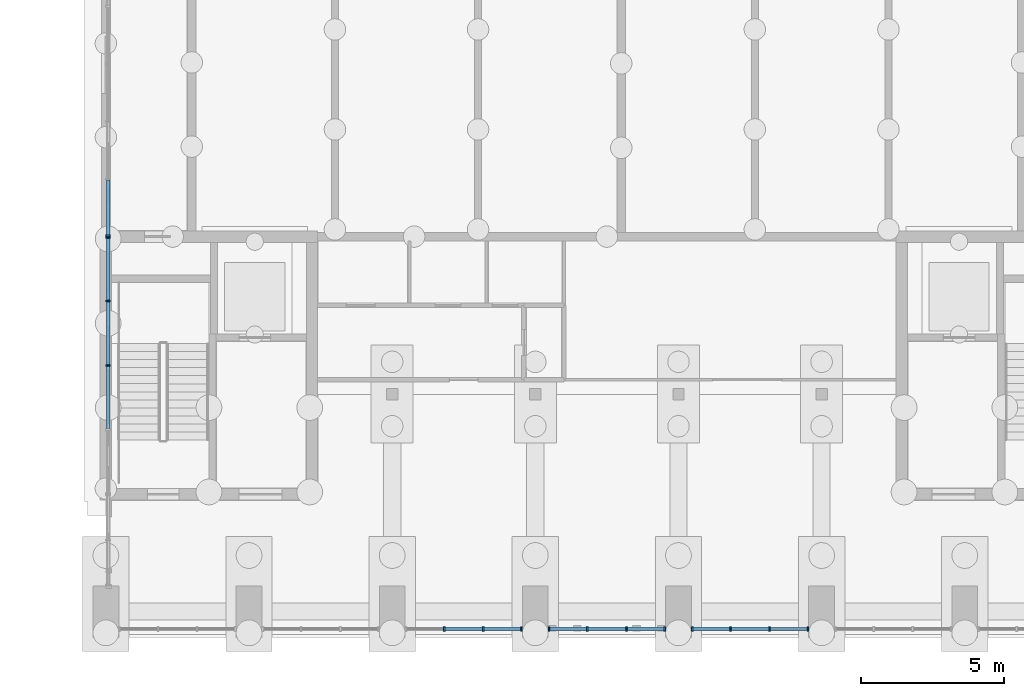
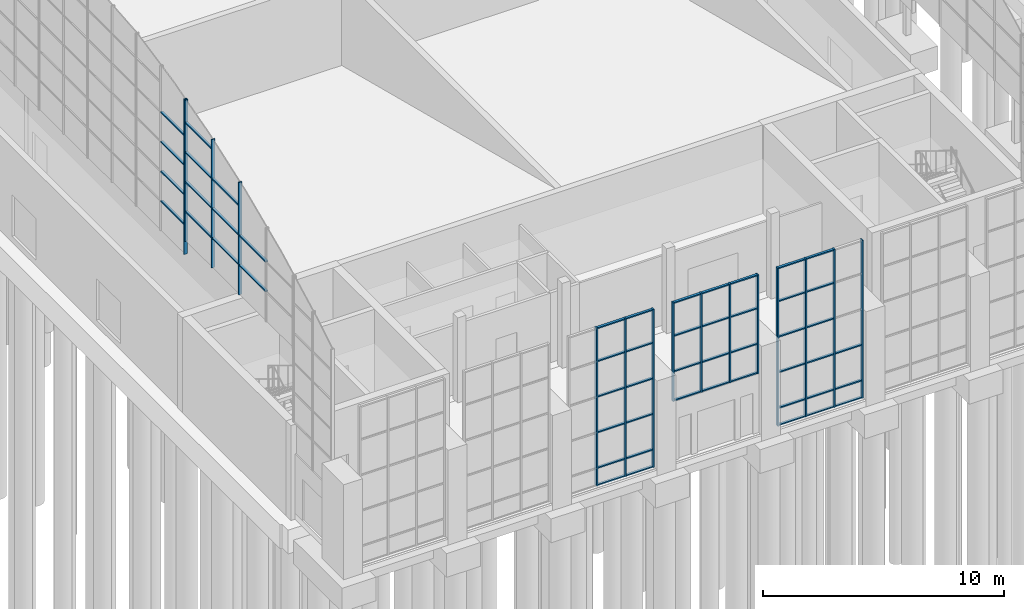
# One storey, part 25 of 106: 67 members, 5 elements without a shape of their own.
"""IFC4 building model written with IfcOpenShell, lengths in metres."""

from ifc_helpers import new_model, si_unit, direction, frame, origin, origin_2d, place, context, subcontext, project, spatial, rectangle, extrude, material, material_profile, profile_set, type_object, element, aggregate, save


model = new_model("IFC4")

# Units and contexts
model_context = context("Model", 3, precision=1e-05, world=origin(), true_north=direction((0.0, 1.0)))
body_context = subcontext(model_context, "Body", "Model", "MODEL_VIEW")
ifc_project = project(units=[si_unit("LENGTHUNIT", "METRE"), si_unit("AREAUNIT", "SQUARE_METRE"), si_unit("VOLUMEUNIT", "CUBIC_METRE"), si_unit("PLANEANGLEUNIT", "RADIAN"), si_unit("MASSUNIT", "GRAM", prefix="KILO")], contexts=[model_context])

# Site, building, storey
site_placement = place(None, origin())
site = spatial("IfcSite", under=ifc_project, at=site_placement, CompositionType="ELEMENT")
building_placement = place(site_placement, origin())
building = spatial("IfcBuilding", under=site, at=building_placement, Name="Merrow Basin Faculty of Sciences", CompositionType="ELEMENT")
storey_placement = place(building_placement, origin())
storey = spatial("IfcBuildingStorey", under=building, at=storey_placement, Name="L00", CompositionType="ELEMENT", Elevation=0.0)

# Curtain wall, members
ifc_material_1 = material(Name="Aluminium alloy 6063", Category="aluminium")
curtain_wall_type_1 = type_object("IfcCurtainWallType", Name="Arched curtain wall 160", PredefinedType="NOTDEFINED", material=ifc_material_1)
curtain_wall_1_placement = place(storey_placement, origin())
curtain_wall_1 = element("IfcCurtainWall", 1, at=curtain_wall_1_placement, inside=storey, type_object=curtain_wall_type_1, Name="West gable glazing B", PredefinedType="NOTDEFINED")
ifc_material_2 = material(Name="Aluminium alloy 6063", Category="aluminium")
ifc_material_profile_1 = material_profile(ifc_material_2, rectangle(XDim=0.159912109375, YDim=0.06005859375, at=origin_2d()))
ifc_profile_set_1 = profile_set([ifc_material_profile_1], Name="Aluminium alloy 6063")
member_type_1 = type_object("IfcMemberType", Name="Aluminium gable mullion 60x160", PredefinedType="MULLION", material=ifc_profile_set_1)
member_1_placement = place(storey_placement, frame((0.080078125, 9.5, 8.199951171875), z_axis=(0.0, 0.0, 1.0), x_axis=(1.0, 0.0, 0.0)))
member_1 = element("IfcMember", 2, at=member_1_placement, type_object=member_type_1, Name="CW4 mullion 3", PredefinedType="MULLION", context=body_context, shape_type="SweptSolid", body=[
    extrude(rectangle(XDim=0.159912109375, YDim=0.06005859375, at=origin_2d()), origin(), (0.0, 0.0, 1.0), 5.68798828125),
])
member_2_placement = place(storey_placement, frame((0.080078125, 11.75, 8.199951171875), z_axis=(0.0, 0.0, 1.0), x_axis=(1.0, 0.0, 0.0)))
member_2 = element("IfcMember", 3, at=member_2_placement, type_object=member_type_1, Name="CW4 mullion 4", PredefinedType="MULLION", context=body_context, shape_type="SweptSolid", body=[
    extrude(rectangle(XDim=0.159912109375, YDim=0.06005859375, at=origin_2d()), origin(), (0.0, 0.0, 1.0), 6.486083984375),
])
member_3_placement = place(storey_placement, frame((0.080078125, 13.969970703125, 8.199951171875), z_axis=(0.0, 0.0, 1.0), x_axis=(1.0, 0.0, 0.0)))
member_3 = element("IfcMember", 4, at=member_3_placement, type_object=member_type_1, Name="CW4 mullion 5", PredefinedType="MULLION", context=body_context, shape_type="SweptSolid", body=[
    extrude(rectangle(XDim=0.159912109375, YDim=0.06005859375, at=origin_2d()), origin(), (0.0, 0.0, 1.0), 7.129150390625),
])

# Curtain wall, member
curtain_wall_2_placement = place(storey_placement, origin())
curtain_wall_2 = element("IfcCurtainWall", 5, at=curtain_wall_2_placement, inside=storey, type_object=curtain_wall_type_1, Name="West gable glazing C", PredefinedType="NOTDEFINED")
member_4_placement = place(storey_placement, frame((0.080078125, 14.030029296875, 7.5), z_axis=(0.0, 0.0, 1.0), x_axis=(1.0, 0.0, 0.0)))
member_4 = element("IfcMember", 6, at=member_4_placement, type_object=member_type_1, Name="CW4 mullion 1", PredefinedType="MULLION", context=body_context, shape_type="SweptSolid", body=[
    extrude(rectangle(XDim=0.159912109375, YDim=0.06005859375, at=origin_2d()), origin(), (0.0, 0.0, 1.0), 7.845947265625),
])

# Member
ifc_material_3 = material(Name="Aluminium alloy 6063", Category="aluminium")
ifc_material_profile_2 = material_profile(ifc_material_3, rectangle(XDim=0.1201171875, YDim=0.06005859375, at=origin_2d()))
ifc_profile_set_2 = profile_set([ifc_material_profile_2], Name="Aluminium alloy 6063")
member_type_2 = type_object("IfcMemberType", Name="Aluminium gable transom 60x120", PredefinedType="USERDEFINED", material=ifc_profile_set_2)
member_5_placement = place(storey_placement, frame((0.080078125, 7.280029296875, 9.699951171875), z_axis=(0.0, 1.0, 0.0), x_axis=(-1.0, 0.0, 0.0)))
member_5 = element("IfcMember", 7, at=member_5_placement, type_object=member_type_2, Name="CW4 transom 2.1", ObjectType="TRANSOM", PredefinedType="USERDEFINED", context=body_context, shape_type="SweptSolid", body=[
    extrude(rectangle(XDim=0.1201171875, YDim=0.06005859375, at=origin_2d()), origin(), (0.0, 0.0, 1.0), 2.18994140625),
])

member_6_placement = place(storey_placement, frame((0.080078125, 7.280029296875, 11.199951171875), z_axis=(0.0, 1.0, 0.0), x_axis=(-1.0, 0.0, 0.0)))
member_6 = element("IfcMember", 8, at=member_6_placement, type_object=member_type_2, Name="CW4 transom 2.2", ObjectType="TRANSOM", PredefinedType="USERDEFINED", context=body_context, shape_type="SweptSolid", body=[
    extrude(rectangle(XDim=0.1201171875, YDim=0.06005859375, at=origin_2d()), origin(), (0.0, 0.0, 1.0), 2.18994140625),
])

member_7_placement = place(storey_placement, frame((0.080078125, 9.530029296875, 9.699951171875), z_axis=(0.0, 1.0, 0.0), x_axis=(-1.0, 0.0, 0.0)))
member_7 = element("IfcMember", 9, at=member_7_placement, type_object=member_type_2, Name="CW4 transom 3.1", ObjectType="TRANSOM", PredefinedType="USERDEFINED", context=body_context, shape_type="SweptSolid", body=[
    extrude(rectangle(XDim=0.1201171875, YDim=0.06005859375, at=origin_2d()), origin(), (0.0, 0.0, 1.0), 2.18994140625),
])

member_8_placement = place(storey_placement, frame((0.080078125, 9.530029296875, 11.199951171875), z_axis=(0.0, 1.0, 0.0), x_axis=(-1.0, 0.0, 0.0)))
member_8 = element("IfcMember", 10, at=member_8_placement, type_object=member_type_2, Name="CW4 transom 3.2", ObjectType="TRANSOM", PredefinedType="USERDEFINED", context=body_context, shape_type="SweptSolid", body=[
    extrude(rectangle(XDim=0.1201171875, YDim=0.06005859375, at=origin_2d()), origin(), (0.0, 0.0, 1.0), 2.18994140625),
])

member_9_placement = place(storey_placement, frame((0.080078125, 9.530029296875, 12.699951171875), z_axis=(0.0, 1.0, 0.0), x_axis=(-1.0, 0.0, 0.0)))
member_9 = element("IfcMember", 11, at=member_9_placement, type_object=member_type_2, Name="CW4 transom 3.3", ObjectType="TRANSOM", PredefinedType="USERDEFINED", context=body_context, shape_type="SweptSolid", body=[
    extrude(rectangle(XDim=0.1201171875, YDim=0.06005859375, at=origin_2d()), origin(), (0.0, 0.0, 1.0), 2.18994140625),
])

member_10_placement = place(storey_placement, frame((0.080078125, 11.780029296875, 9.699951171875), z_axis=(0.0, 1.0, 0.0), x_axis=(-1.0, 0.0, 0.0)))
member_10 = element("IfcMember", 12, at=member_10_placement, type_object=member_type_2, Name="CW4 transom 4.1", ObjectType="TRANSOM", PredefinedType="USERDEFINED", context=body_context, shape_type="SweptSolid", body=[
    extrude(rectangle(XDim=0.1201171875, YDim=0.06005859375, at=origin_2d()), origin(), (0.0, 0.0, 1.0), 2.159912109375),
])

member_11_placement = place(storey_placement, frame((0.080078125, 11.780029296875, 11.199951171875), z_axis=(0.0, 1.0, 0.0), x_axis=(-1.0, 0.0, 0.0)))
member_11 = element("IfcMember", 13, at=member_11_placement, type_object=member_type_2, Name="CW4 transom 4.2", ObjectType="TRANSOM", PredefinedType="USERDEFINED", context=body_context, shape_type="SweptSolid", body=[
    extrude(rectangle(XDim=0.1201171875, YDim=0.06005859375, at=origin_2d()), origin(), (0.0, 0.0, 1.0), 2.159912109375),
])

member_12_placement = place(storey_placement, frame((0.080078125, 11.780029296875, 12.699951171875), z_axis=(0.0, 1.0, 0.0), x_axis=(-1.0, 0.0, 0.0)))
member_12 = element("IfcMember", 14, at=member_12_placement, type_object=member_type_2, Name="CW4 transom 4.3", ObjectType="TRANSOM", PredefinedType="USERDEFINED", context=body_context, shape_type="SweptSolid", body=[
    extrude(rectangle(XDim=0.1201171875, YDim=0.06005859375, at=origin_2d()), origin(), (0.0, 0.0, 1.0), 2.159912109375),
])

member_13_placement = place(storey_placement, frame((0.080078125, 11.780029296875, 14.199951171875), z_axis=(0.0, 1.0, 0.0), x_axis=(-1.0, 0.0, 0.0)))
member_13 = element("IfcMember", 15, at=member_13_placement, type_object=member_type_2, Name="CW4 transom 4.4", ObjectType="TRANSOM", PredefinedType="USERDEFINED", context=body_context, shape_type="SweptSolid", body=[
    extrude(rectangle(XDim=0.1201171875, YDim=0.06005859375, at=origin_2d()), origin(), (0.0, 0.0, 1.0), 2.159912109375),
])

aggregate(curtain_wall_1, [member_1, member_2, member_3, member_5, member_6, member_7, member_8, member_9, member_10, member_11, member_12, member_13])

member_14_placement = place(storey_placement, frame((0.080078125, 14.06005859375, 9.0), z_axis=(0.0, 1.0, 0.0), x_axis=(-1.0, 0.0, 0.0)))
member_14 = element("IfcMember", 16, at=member_14_placement, type_object=member_type_2, Name="CW4 transom 1.1", ObjectType="TRANSOM", PredefinedType="USERDEFINED", context=body_context, shape_type="SweptSolid", body=[
    extrude(rectangle(XDim=0.1201171875, YDim=0.06005859375, at=origin_2d()), origin(), (0.0, 0.0, 1.0), 1.9208984375),
])

member_15_placement = place(storey_placement, frame((0.080078125, 14.06005859375, 10.5), z_axis=(0.0, 1.0, 0.0), x_axis=(-1.0, 0.0, 0.0)))
member_15 = element("IfcMember", 17, at=member_15_placement, type_object=member_type_2, Name="CW4 transom 1.2", ObjectType="TRANSOM", PredefinedType="USERDEFINED", context=body_context, shape_type="SweptSolid", body=[
    extrude(rectangle(XDim=0.1201171875, YDim=0.06005859375, at=origin_2d()), origin(), (0.0, 0.0, 1.0), 1.9208984375),
])

member_16_placement = place(storey_placement, frame((0.080078125, 14.06005859375, 12.0), z_axis=(0.0, 1.0, 0.0), x_axis=(-1.0, 0.0, 0.0)))
member_16 = element("IfcMember", 18, at=member_16_placement, type_object=member_type_2, Name="CW4 transom 1.3", ObjectType="TRANSOM", PredefinedType="USERDEFINED", context=body_context, shape_type="SweptSolid", body=[
    extrude(rectangle(XDim=0.1201171875, YDim=0.06005859375, at=origin_2d()), origin(), (0.0, 0.0, 1.0), 1.9208984375),
])

member_17_placement = place(storey_placement, frame((0.080078125, 14.06005859375, 13.5), z_axis=(0.0, 1.0, 0.0), x_axis=(-1.0, 0.0, 0.0)))
member_17 = element("IfcMember", 19, at=member_17_placement, type_object=member_type_2, Name="CW4 transom 1.4", ObjectType="TRANSOM", PredefinedType="USERDEFINED", context=body_context, shape_type="SweptSolid", body=[
    extrude(rectangle(XDim=0.1201171875, YDim=0.06005859375, at=origin_2d()), origin(), (0.0, 0.0, 1.0), 1.9208984375),
])

aggregate(curtain_wall_2, [member_4, member_14, member_15, member_16, member_17])

# Curtain wall, members
ifc_material_4 = material(Name="Aluminium alloy 6063", Category="aluminium")
curtain_wall_type_2 = type_object("IfcCurtainWallType", Name="Unitised curtain wall 160", PredefinedType="NOTDEFINED", material=ifc_material_4)
curtain_wall_3_placement = place(storey_placement, origin())
curtain_wall_3 = element("IfcCurtainWall", 20, at=curtain_wall_3_placement, inside=storey, type_object=curtain_wall_type_2, Name="South foyer curtain wall", PredefinedType="NOTDEFINED")
ifc_material_5 = material(Name="Aluminium alloy 6063", Category="aluminium")
ifc_material_profile_3 = material_profile(ifc_material_5, rectangle(XDim=0.159912109375, YDim=0.06005859375, at=origin_2d()))
ifc_profile_set_3 = profile_set([ifc_material_profile_3], Name="Aluminium alloy 6063")
member_type_3 = type_object("IfcMemberType", Name="Aluminium mullion 60x160", PredefinedType="MULLION", material=ifc_profile_set_3)
member_18_placement = place(storey_placement, frame((11.816650390625, 0.300048828125, 0.0), z_axis=(0.0, 0.0, 1.0), x_axis=(0.0, 1.0, 0.0)))
member_18 = element("IfcMember", 21, at=member_18_placement, type_object=member_type_3, Name="CW3 mullion 2", PredefinedType="MULLION", context=body_context, shape_type="SweptSolid", body=[
    extrude(rectangle(XDim=0.159912109375, YDim=0.06005859375, at=origin_2d()), origin(), (0.0, 0.0, 1.0), 8.0),
])
member_19_placement = place(storey_placement, frame((13.183349609375, 0.300048828125, 0.0), z_axis=(0.0, 0.0, 1.0), x_axis=(0.0, 1.0, 0.0)))
member_19 = element("IfcMember", 22, at=member_19_placement, type_object=member_type_3, Name="CW3 mullion 3", PredefinedType="MULLION", context=body_context, shape_type="SweptSolid", body=[
    extrude(rectangle(XDim=0.159912109375, YDim=0.06005859375, at=origin_2d()), origin(), (0.0, 0.0, 1.0), 8.0),
])
member_20_placement = place(storey_placement, frame((14.52001953125, 0.300048828125, 0.0), z_axis=(0.0, 0.0, 1.0), x_axis=(0.0, 1.0, 0.0)))
member_20 = element("IfcMember", 23, at=member_20_placement, type_object=member_type_3, Name="CW3 mullion 4", PredefinedType="MULLION", context=body_context, shape_type="SweptSolid", body=[
    extrude(rectangle(XDim=0.159912109375, YDim=0.06005859375, at=origin_2d()), origin(), (0.0, 0.0, 1.0), 8.0),
])

curtain_wall_4_placement = place(storey_placement, origin())
curtain_wall_4 = element("IfcCurtainWall", 24, at=curtain_wall_4_placement, inside=storey, type_object=curtain_wall_type_2, Name="South foyer curtain wall above the door", PredefinedType="NOTDEFINED")
member_21_placement = place(storey_placement, frame((15.47998046875, 0.300048828125, 3.0), z_axis=(0.0, 0.0, 1.0), x_axis=(0.0, 1.0, 0.0)))
member_21 = element("IfcMember", 25, at=member_21_placement, type_object=member_type_3, Name="CW3 mullion 1", PredefinedType="MULLION", context=body_context, shape_type="SweptSolid", body=[
    extrude(rectangle(XDim=0.159912109375, YDim=0.06005859375, at=origin_2d()), origin(), (0.0, 0.0, 1.0), 5.0),
])
member_22_placement = place(storey_placement, frame((16.816650390625, 0.300048828125, 3.0), z_axis=(0.0, 0.0, 1.0), x_axis=(0.0, 1.0, 0.0)))
member_22 = element("IfcMember", 26, at=member_22_placement, type_object=member_type_3, Name="CW3 mullion 2", PredefinedType="MULLION", context=body_context, shape_type="SweptSolid", body=[
    extrude(rectangle(XDim=0.159912109375, YDim=0.06005859375, at=origin_2d()), origin(), (0.0, 0.0, 1.0), 5.0),
])
member_23_placement = place(storey_placement, frame((18.183349609375, 0.300048828125, 3.0), z_axis=(0.0, 0.0, 1.0), x_axis=(0.0, 1.0, 0.0)))
member_23 = element("IfcMember", 27, at=member_23_placement, type_object=member_type_3, Name="CW3 mullion 3", PredefinedType="MULLION", context=body_context, shape_type="SweptSolid", body=[
    extrude(rectangle(XDim=0.159912109375, YDim=0.06005859375, at=origin_2d()), origin(), (0.0, 0.0, 1.0), 5.0),
])
member_24_placement = place(storey_placement, frame((19.52001953125, 0.300048828125, 3.0), z_axis=(0.0, 0.0, 1.0), x_axis=(0.0, 1.0, 0.0)))
member_24 = element("IfcMember", 28, at=member_24_placement, type_object=member_type_3, Name="CW3 mullion 4", PredefinedType="MULLION", context=body_context, shape_type="SweptSolid", body=[
    extrude(rectangle(XDim=0.159912109375, YDim=0.06005859375, at=origin_2d()), origin(), (0.0, 0.0, 1.0), 5.0),
])

curtain_wall_5_placement = place(storey_placement, origin())
curtain_wall_5 = element("IfcCurtainWall", 29, at=curtain_wall_5_placement, inside=storey, type_object=curtain_wall_type_2, Name="South foyer curtain wall", PredefinedType="NOTDEFINED")
member_25_placement = place(storey_placement, frame((20.47998046875, 0.300048828125, 0.0), z_axis=(0.0, 0.0, 1.0), x_axis=(0.0, 1.0, 0.0)))
member_25 = element("IfcMember", 30, at=member_25_placement, type_object=member_type_3, Name="CW3 mullion 1", PredefinedType="MULLION", context=body_context, shape_type="SweptSolid", body=[
    extrude(rectangle(XDim=0.159912109375, YDim=0.06005859375, at=origin_2d()), origin(), (0.0, 0.0, 1.0), 8.0),
])
member_26_placement = place(storey_placement, frame((21.816650390625, 0.300048828125, 0.0), z_axis=(0.0, 0.0, 1.0), x_axis=(0.0, 1.0, 0.0)))
member_26 = element("IfcMember", 31, at=member_26_placement, type_object=member_type_3, Name="CW3 mullion 2", PredefinedType="MULLION", context=body_context, shape_type="SweptSolid", body=[
    extrude(rectangle(XDim=0.159912109375, YDim=0.06005859375, at=origin_2d()), origin(), (0.0, 0.0, 1.0), 8.0),
])
member_27_placement = place(storey_placement, frame((23.183349609375, 0.300048828125, 0.0), z_axis=(0.0, 0.0, 1.0), x_axis=(0.0, 1.0, 0.0)))
member_27 = element("IfcMember", 32, at=member_27_placement, type_object=member_type_3, Name="CW3 mullion 3", PredefinedType="MULLION", context=body_context, shape_type="SweptSolid", body=[
    extrude(rectangle(XDim=0.159912109375, YDim=0.06005859375, at=origin_2d()), origin(), (0.0, 0.0, 1.0), 8.0),
])
member_28_placement = place(storey_placement, frame((24.52001953125, 0.300048828125, 0.0), z_axis=(0.0, 0.0, 1.0), x_axis=(0.0, 1.0, 0.0)))
member_28 = element("IfcMember", 33, at=member_28_placement, type_object=member_type_3, Name="CW3 mullion 4", PredefinedType="MULLION", context=body_context, shape_type="SweptSolid", body=[
    extrude(rectangle(XDim=0.159912109375, YDim=0.06005859375, at=origin_2d()), origin(), (0.0, 0.0, 1.0), 8.0),
])

# Member
ifc_material_6 = material(Name="Aluminium alloy 6063", Category="aluminium")
ifc_material_profile_4 = material_profile(ifc_material_6, rectangle(XDim=0.1201171875, YDim=0.06005859375, at=origin_2d()))
ifc_profile_set_4 = profile_set([ifc_material_profile_4], Name="Aluminium alloy 6063")
member_type_4 = type_object("IfcMemberType", Name="Aluminium transom 60x120", PredefinedType="USERDEFINED", material=ifc_profile_set_4)
member_29_placement = place(storey_placement, frame((11.8466796875, 0.300048828125, 0.030029296875), z_axis=(1.0, 0.0, 0.0), x_axis=(0.0, 1.0, 0.0)))
member_29 = element("IfcMember", 34, at=member_29_placement, type_object=member_type_4, Name="CW3 transom 2.1", ObjectType="TRANSOM", PredefinedType="USERDEFINED", context=body_context, shape_type="SweptSolid", body=[
    extrude(rectangle(XDim=0.1201171875, YDim=0.06005859375, at=origin_2d()), origin(), (0.0, 0.0, 1.0), 1.306640625),
])

member_30_placement = place(storey_placement, frame((11.8466796875, 0.300048828125, 0.89990234375), z_axis=(1.0, 0.0, 0.0), x_axis=(0.0, 1.0, 0.0)))
member_30 = element("IfcMember", 35, at=member_30_placement, type_object=member_type_4, Name="CW3 transom 2.2", ObjectType="TRANSOM", PredefinedType="USERDEFINED", context=body_context, shape_type="SweptSolid", body=[
    extrude(rectangle(XDim=0.1201171875, YDim=0.06005859375, at=origin_2d()), origin(), (0.0, 0.0, 1.0), 1.306640625),
])

member_31_placement = place(storey_placement, frame((11.8466796875, 0.300048828125, 2.699951171875), z_axis=(1.0, 0.0, 0.0), x_axis=(0.0, 1.0, 0.0)))
member_31 = element("IfcMember", 36, at=member_31_placement, type_object=member_type_4, Name="CW3 transom 2.3", ObjectType="TRANSOM", PredefinedType="USERDEFINED", context=body_context, shape_type="SweptSolid", body=[
    extrude(rectangle(XDim=0.1201171875, YDim=0.06005859375, at=origin_2d()), origin(), (0.0, 0.0, 1.0), 1.306640625),
])

member_32_placement = place(storey_placement, frame((11.8466796875, 0.300048828125, 4.5), z_axis=(1.0, 0.0, 0.0), x_axis=(0.0, 1.0, 0.0)))
member_32 = element("IfcMember", 37, at=member_32_placement, type_object=member_type_4, Name="CW3 transom 2.4", ObjectType="TRANSOM", PredefinedType="USERDEFINED", context=body_context, shape_type="SweptSolid", body=[
    extrude(rectangle(XDim=0.1201171875, YDim=0.06005859375, at=origin_2d()), origin(), (0.0, 0.0, 1.0), 1.306640625),
])

member_33_placement = place(storey_placement, frame((11.8466796875, 0.300048828125, 6.300048828125), z_axis=(1.0, 0.0, 0.0), x_axis=(0.0, 1.0, 0.0)))
member_33 = element("IfcMember", 38, at=member_33_placement, type_object=member_type_4, Name="CW3 transom 2.5", ObjectType="TRANSOM", PredefinedType="USERDEFINED", context=body_context, shape_type="SweptSolid", body=[
    extrude(rectangle(XDim=0.1201171875, YDim=0.06005859375, at=origin_2d()), origin(), (0.0, 0.0, 1.0), 1.306640625),
])

member_34_placement = place(storey_placement, frame((11.8466796875, 0.300048828125, 7.969970703125), z_axis=(1.0, 0.0, 0.0), x_axis=(0.0, 1.0, 0.0)))
member_34 = element("IfcMember", 39, at=member_34_placement, type_object=member_type_4, Name="CW3 transom 2.6", ObjectType="TRANSOM", PredefinedType="USERDEFINED", context=body_context, shape_type="SweptSolid", body=[
    extrude(rectangle(XDim=0.1201171875, YDim=0.06005859375, at=origin_2d()), origin(), (0.0, 0.0, 1.0), 1.306640625),
])

member_35_placement = place(storey_placement, frame((13.21337890625, 0.300048828125, 0.030029296875), z_axis=(1.0, 0.0, 0.0), x_axis=(0.0, 1.0, 0.0)))
member_35 = element("IfcMember", 40, at=member_35_placement, type_object=member_type_4, Name="CW3 transom 3.1", ObjectType="TRANSOM", PredefinedType="USERDEFINED", context=body_context, shape_type="SweptSolid", body=[
    extrude(rectangle(XDim=0.1201171875, YDim=0.06005859375, at=origin_2d()), origin(), (0.0, 0.0, 1.0), 1.276611328125),
])

member_36_placement = place(storey_placement, frame((13.21337890625, 0.300048828125, 0.89990234375), z_axis=(1.0, 0.0, 0.0), x_axis=(0.0, 1.0, 0.0)))
member_36 = element("IfcMember", 41, at=member_36_placement, type_object=member_type_4, Name="CW3 transom 3.2", ObjectType="TRANSOM", PredefinedType="USERDEFINED", context=body_context, shape_type="SweptSolid", body=[
    extrude(rectangle(XDim=0.1201171875, YDim=0.06005859375, at=origin_2d()), origin(), (0.0, 0.0, 1.0), 1.276611328125),
])

member_37_placement = place(storey_placement, frame((13.21337890625, 0.300048828125, 2.699951171875), z_axis=(1.0, 0.0, 0.0), x_axis=(0.0, 1.0, 0.0)))
member_37 = element("IfcMember", 42, at=member_37_placement, type_object=member_type_4, Name="CW3 transom 3.3", ObjectType="TRANSOM", PredefinedType="USERDEFINED", context=body_context, shape_type="SweptSolid", body=[
    extrude(rectangle(XDim=0.1201171875, YDim=0.06005859375, at=origin_2d()), origin(), (0.0, 0.0, 1.0), 1.276611328125),
])

member_38_placement = place(storey_placement, frame((13.21337890625, 0.300048828125, 4.5), z_axis=(1.0, 0.0, 0.0), x_axis=(0.0, 1.0, 0.0)))
member_38 = element("IfcMember", 43, at=member_38_placement, type_object=member_type_4, Name="CW3 transom 3.4", ObjectType="TRANSOM", PredefinedType="USERDEFINED", context=body_context, shape_type="SweptSolid", body=[
    extrude(rectangle(XDim=0.1201171875, YDim=0.06005859375, at=origin_2d()), origin(), (0.0, 0.0, 1.0), 1.276611328125),
])

member_39_placement = place(storey_placement, frame((13.21337890625, 0.300048828125, 6.300048828125), z_axis=(1.0, 0.0, 0.0), x_axis=(0.0, 1.0, 0.0)))
member_39 = element("IfcMember", 44, at=member_39_placement, type_object=member_type_4, Name="CW3 transom 3.5", ObjectType="TRANSOM", PredefinedType="USERDEFINED", context=body_context, shape_type="SweptSolid", body=[
    extrude(rectangle(XDim=0.1201171875, YDim=0.06005859375, at=origin_2d()), origin(), (0.0, 0.0, 1.0), 1.276611328125),
])

member_40_placement = place(storey_placement, frame((13.21337890625, 0.300048828125, 7.969970703125), z_axis=(1.0, 0.0, 0.0), x_axis=(0.0, 1.0, 0.0)))
member_40 = element("IfcMember", 45, at=member_40_placement, type_object=member_type_4, Name="CW3 transom 3.6", ObjectType="TRANSOM", PredefinedType="USERDEFINED", context=body_context, shape_type="SweptSolid", body=[
    extrude(rectangle(XDim=0.1201171875, YDim=0.06005859375, at=origin_2d()), origin(), (0.0, 0.0, 1.0), 1.276611328125),
])

aggregate(curtain_wall_3, [member_18, member_19, member_20, member_29, member_30, member_31, member_32, member_33, member_34, member_35, member_36, member_37, member_38, member_39, member_40])

member_41_placement = place(storey_placement, frame((15.510009765625, 0.300048828125, 3.030029296875), z_axis=(1.0, 0.0, 0.0), x_axis=(0.0, 1.0, 0.0)))
member_41 = element("IfcMember", 46, at=member_41_placement, type_object=member_type_4, Name="CW3 transom 1.1", ObjectType="TRANSOM", PredefinedType="USERDEFINED", context=body_context, shape_type="SweptSolid", body=[
    extrude(rectangle(XDim=0.1201171875, YDim=0.06005859375, at=origin_2d()), origin(), (0.0, 0.0, 1.0), 1.276611328125),
])

member_42_placement = place(storey_placement, frame((15.510009765625, 0.300048828125, 4.5), z_axis=(1.0, 0.0, 0.0), x_axis=(0.0, 1.0, 0.0)))
member_42 = element("IfcMember", 47, at=member_42_placement, type_object=member_type_4, Name="CW3 transom 1.2", ObjectType="TRANSOM", PredefinedType="USERDEFINED", context=body_context, shape_type="SweptSolid", body=[
    extrude(rectangle(XDim=0.1201171875, YDim=0.06005859375, at=origin_2d()), origin(), (0.0, 0.0, 1.0), 1.276611328125),
])

member_43_placement = place(storey_placement, frame((15.510009765625, 0.300048828125, 6.300048828125), z_axis=(1.0, 0.0, 0.0), x_axis=(0.0, 1.0, 0.0)))
member_43 = element("IfcMember", 48, at=member_43_placement, type_object=member_type_4, Name="CW3 transom 1.3", ObjectType="TRANSOM", PredefinedType="USERDEFINED", context=body_context, shape_type="SweptSolid", body=[
    extrude(rectangle(XDim=0.1201171875, YDim=0.06005859375, at=origin_2d()), origin(), (0.0, 0.0, 1.0), 1.276611328125),
])

member_44_placement = place(storey_placement, frame((15.510009765625, 0.300048828125, 7.969970703125), z_axis=(1.0, 0.0, 0.0), x_axis=(0.0, 1.0, 0.0)))
member_44 = element("IfcMember", 49, at=member_44_placement, type_object=member_type_4, Name="CW3 transom 1.4", ObjectType="TRANSOM", PredefinedType="USERDEFINED", context=body_context, shape_type="SweptSolid", body=[
    extrude(rectangle(XDim=0.1201171875, YDim=0.06005859375, at=origin_2d()), origin(), (0.0, 0.0, 1.0), 1.276611328125),
])

member_45_placement = place(storey_placement, frame((16.8466796875, 0.300048828125, 3.030029296875), z_axis=(1.0, 0.0, 0.0), x_axis=(0.0, 1.0, 0.0)))
member_45 = element("IfcMember", 50, at=member_45_placement, type_object=member_type_4, Name="CW3 transom 2.1", ObjectType="TRANSOM", PredefinedType="USERDEFINED", context=body_context, shape_type="SweptSolid", body=[
    extrude(rectangle(XDim=0.1201171875, YDim=0.06005859375, at=origin_2d()), origin(), (0.0, 0.0, 1.0), 1.306640625),
])

member_46_placement = place(storey_placement, frame((16.8466796875, 0.300048828125, 4.5), z_axis=(1.0, 0.0, 0.0), x_axis=(0.0, 1.0, 0.0)))
member_46 = element("IfcMember", 51, at=member_46_placement, type_object=member_type_4, Name="CW3 transom 2.2", ObjectType="TRANSOM", PredefinedType="USERDEFINED", context=body_context, shape_type="SweptSolid", body=[
    extrude(rectangle(XDim=0.1201171875, YDim=0.06005859375, at=origin_2d()), origin(), (0.0, 0.0, 1.0), 1.306640625),
])

member_47_placement = place(storey_placement, frame((16.8466796875, 0.300048828125, 6.300048828125), z_axis=(1.0, 0.0, 0.0), x_axis=(0.0, 1.0, 0.0)))
member_47 = element("IfcMember", 52, at=member_47_placement, type_object=member_type_4, Name="CW3 transom 2.3", ObjectType="TRANSOM", PredefinedType="USERDEFINED", context=body_context, shape_type="SweptSolid", body=[
    extrude(rectangle(XDim=0.1201171875, YDim=0.06005859375, at=origin_2d()), origin(), (0.0, 0.0, 1.0), 1.306640625),
])

member_48_placement = place(storey_placement, frame((16.8466796875, 0.300048828125, 7.969970703125), z_axis=(1.0, 0.0, 0.0), x_axis=(0.0, 1.0, 0.0)))
member_48 = element("IfcMember", 53, at=member_48_placement, type_object=member_type_4, Name="CW3 transom 2.4", ObjectType="TRANSOM", PredefinedType="USERDEFINED", context=body_context, shape_type="SweptSolid", body=[
    extrude(rectangle(XDim=0.1201171875, YDim=0.06005859375, at=origin_2d()), origin(), (0.0, 0.0, 1.0), 1.306640625),
])

member_49_placement = place(storey_placement, frame((18.21337890625, 0.300048828125, 3.030029296875), z_axis=(1.0, 0.0, 0.0), x_axis=(0.0, 1.0, 0.0)))
member_49 = element("IfcMember", 54, at=member_49_placement, type_object=member_type_4, Name="CW3 transom 3.1", ObjectType="TRANSOM", PredefinedType="USERDEFINED", context=body_context, shape_type="SweptSolid", body=[
    extrude(rectangle(XDim=0.1201171875, YDim=0.06005859375, at=origin_2d()), origin(), (0.0, 0.0, 1.0), 1.276611328125),
])

member_50_placement = place(storey_placement, frame((18.21337890625, 0.300048828125, 4.5), z_axis=(1.0, 0.0, 0.0), x_axis=(0.0, 1.0, 0.0)))
member_50 = element("IfcMember", 55, at=member_50_placement, type_object=member_type_4, Name="CW3 transom 3.2", ObjectType="TRANSOM", PredefinedType="USERDEFINED", context=body_context, shape_type="SweptSolid", body=[
    extrude(rectangle(XDim=0.1201171875, YDim=0.06005859375, at=origin_2d()), origin(), (0.0, 0.0, 1.0), 1.276611328125),
])

member_51_placement = place(storey_placement, frame((18.21337890625, 0.300048828125, 6.300048828125), z_axis=(1.0, 0.0, 0.0), x_axis=(0.0, 1.0, 0.0)))
member_51 = element("IfcMember", 56, at=member_51_placement, type_object=member_type_4, Name="CW3 transom 3.3", ObjectType="TRANSOM", PredefinedType="USERDEFINED", context=body_context, shape_type="SweptSolid", body=[
    extrude(rectangle(XDim=0.1201171875, YDim=0.06005859375, at=origin_2d()), origin(), (0.0, 0.0, 1.0), 1.276611328125),
])

member_52_placement = place(storey_placement, frame((18.21337890625, 0.300048828125, 7.969970703125), z_axis=(1.0, 0.0, 0.0), x_axis=(0.0, 1.0, 0.0)))
member_52 = element("IfcMember", 57, at=member_52_placement, type_object=member_type_4, Name="CW3 transom 3.4", ObjectType="TRANSOM", PredefinedType="USERDEFINED", context=body_context, shape_type="SweptSolid", body=[
    extrude(rectangle(XDim=0.1201171875, YDim=0.06005859375, at=origin_2d()), origin(), (0.0, 0.0, 1.0), 1.276611328125),
])

aggregate(curtain_wall_4, [member_21, member_22, member_23, member_24, member_41, member_42, member_43, member_44, member_45, member_46, member_47, member_48, member_49, member_50, member_51, member_52])

member_53_placement = place(storey_placement, frame((20.510009765625, 0.300048828125, 0.030029296875), z_axis=(1.0, 0.0, 0.0), x_axis=(0.0, 1.0, 0.0)))
member_53 = element("IfcMember", 58, at=member_53_placement, type_object=member_type_4, Name="CW3 transom 1.1", ObjectType="TRANSOM", PredefinedType="USERDEFINED", context=body_context, shape_type="SweptSolid", body=[
    extrude(rectangle(XDim=0.1201171875, YDim=0.06005859375, at=origin_2d()), origin(), (0.0, 0.0, 1.0), 1.276611328125),
])

member_54_placement = place(storey_placement, frame((20.510009765625, 0.300048828125, 0.89990234375), z_axis=(1.0, 0.0, 0.0), x_axis=(0.0, 1.0, 0.0)))
member_54 = element("IfcMember", 59, at=member_54_placement, type_object=member_type_4, Name="CW3 transom 1.2", ObjectType="TRANSOM", PredefinedType="USERDEFINED", context=body_context, shape_type="SweptSolid", body=[
    extrude(rectangle(XDim=0.1201171875, YDim=0.06005859375, at=origin_2d()), origin(), (0.0, 0.0, 1.0), 1.276611328125),
])

member_55_placement = place(storey_placement, frame((20.510009765625, 0.300048828125, 2.699951171875), z_axis=(1.0, 0.0, 0.0), x_axis=(0.0, 1.0, 0.0)))
member_55 = element("IfcMember", 60, at=member_55_placement, type_object=member_type_4, Name="CW3 transom 1.3", ObjectType="TRANSOM", PredefinedType="USERDEFINED", context=body_context, shape_type="SweptSolid", body=[
    extrude(rectangle(XDim=0.1201171875, YDim=0.06005859375, at=origin_2d()), origin(), (0.0, 0.0, 1.0), 1.276611328125),
])

member_56_placement = place(storey_placement, frame((20.510009765625, 0.300048828125, 4.5), z_axis=(1.0, 0.0, 0.0), x_axis=(0.0, 1.0, 0.0)))
member_56 = element("IfcMember", 61, at=member_56_placement, type_object=member_type_4, Name="CW3 transom 1.4", ObjectType="TRANSOM", PredefinedType="USERDEFINED", context=body_context, shape_type="SweptSolid", body=[
    extrude(rectangle(XDim=0.1201171875, YDim=0.06005859375, at=origin_2d()), origin(), (0.0, 0.0, 1.0), 1.276611328125),
])

member_57_placement = place(storey_placement, frame((20.510009765625, 0.300048828125, 6.300048828125), z_axis=(1.0, 0.0, 0.0), x_axis=(0.0, 1.0, 0.0)))
member_57 = element("IfcMember", 62, at=member_57_placement, type_object=member_type_4, Name="CW3 transom 1.5", ObjectType="TRANSOM", PredefinedType="USERDEFINED", context=body_context, shape_type="SweptSolid", body=[
    extrude(rectangle(XDim=0.1201171875, YDim=0.06005859375, at=origin_2d()), origin(), (0.0, 0.0, 1.0), 1.276611328125),
])

member_58_placement = place(storey_placement, frame((20.510009765625, 0.300048828125, 7.969970703125), z_axis=(1.0, 0.0, 0.0), x_axis=(0.0, 1.0, 0.0)))
member_58 = element("IfcMember", 63, at=member_58_placement, type_object=member_type_4, Name="CW3 transom 1.6", ObjectType="TRANSOM", PredefinedType="USERDEFINED", context=body_context, shape_type="SweptSolid", body=[
    extrude(rectangle(XDim=0.1201171875, YDim=0.06005859375, at=origin_2d()), origin(), (0.0, 0.0, 1.0), 1.276611328125),
])

member_59_placement = place(storey_placement, frame((21.8466796875, 0.300048828125, 0.030029296875), z_axis=(1.0, 0.0, 0.0), x_axis=(0.0, 1.0, 0.0)))
member_59 = element("IfcMember", 64, at=member_59_placement, type_object=member_type_4, Name="CW3 transom 2.1", ObjectType="TRANSOM", PredefinedType="USERDEFINED", context=body_context, shape_type="SweptSolid", body=[
    extrude(rectangle(XDim=0.1201171875, YDim=0.06005859375, at=origin_2d()), origin(), (0.0, 0.0, 1.0), 1.306640625),
])

member_60_placement = place(storey_placement, frame((21.8466796875, 0.300048828125, 0.89990234375), z_axis=(1.0, 0.0, 0.0), x_axis=(0.0, 1.0, 0.0)))
member_60 = element("IfcMember", 65, at=member_60_placement, type_object=member_type_4, Name="CW3 transom 2.2", ObjectType="TRANSOM", PredefinedType="USERDEFINED", context=body_context, shape_type="SweptSolid", body=[
    extrude(rectangle(XDim=0.1201171875, YDim=0.06005859375, at=origin_2d()), origin(), (0.0, 0.0, 1.0), 1.306640625),
])

member_61_placement = place(storey_placement, frame((21.8466796875, 0.300048828125, 2.699951171875), z_axis=(1.0, 0.0, 0.0), x_axis=(0.0, 1.0, 0.0)))
member_61 = element("IfcMember", 66, at=member_61_placement, type_object=member_type_4, Name="CW3 transom 2.3", ObjectType="TRANSOM", PredefinedType="USERDEFINED", context=body_context, shape_type="SweptSolid", body=[
    extrude(rectangle(XDim=0.1201171875, YDim=0.06005859375, at=origin_2d()), origin(), (0.0, 0.0, 1.0), 1.306640625),
])

member_62_placement = place(storey_placement, frame((21.8466796875, 0.300048828125, 4.5), z_axis=(1.0, 0.0, 0.0), x_axis=(0.0, 1.0, 0.0)))
member_62 = element("IfcMember", 67, at=member_62_placement, type_object=member_type_4, Name="CW3 transom 2.4", ObjectType="TRANSOM", PredefinedType="USERDEFINED", context=body_context, shape_type="SweptSolid", body=[
    extrude(rectangle(XDim=0.1201171875, YDim=0.06005859375, at=origin_2d()), origin(), (0.0, 0.0, 1.0), 1.306640625),
])

member_63_placement = place(storey_placement, frame((21.8466796875, 0.300048828125, 6.300048828125), z_axis=(1.0, 0.0, 0.0), x_axis=(0.0, 1.0, 0.0)))
member_63 = element("IfcMember", 68, at=member_63_placement, type_object=member_type_4, Name="CW3 transom 2.5", ObjectType="TRANSOM", PredefinedType="USERDEFINED", context=body_context, shape_type="SweptSolid", body=[
    extrude(rectangle(XDim=0.1201171875, YDim=0.06005859375, at=origin_2d()), origin(), (0.0, 0.0, 1.0), 1.306640625),
])

member_64_placement = place(storey_placement, frame((21.8466796875, 0.300048828125, 7.969970703125), z_axis=(1.0, 0.0, 0.0), x_axis=(0.0, 1.0, 0.0)))
member_64 = element("IfcMember", 69, at=member_64_placement, type_object=member_type_4, Name="CW3 transom 2.6", ObjectType="TRANSOM", PredefinedType="USERDEFINED", context=body_context, shape_type="SweptSolid", body=[
    extrude(rectangle(XDim=0.1201171875, YDim=0.06005859375, at=origin_2d()), origin(), (0.0, 0.0, 1.0), 1.306640625),
])

member_65_placement = place(storey_placement, frame((23.21337890625, 0.300048828125, 0.030029296875), z_axis=(1.0, 0.0, 0.0), x_axis=(0.0, 1.0, 0.0)))
member_65 = element("IfcMember", 70, at=member_65_placement, type_object=member_type_4, Name="CW3 transom 3.1", ObjectType="TRANSOM", PredefinedType="USERDEFINED", context=body_context, shape_type="SweptSolid", body=[
    extrude(rectangle(XDim=0.1201171875, YDim=0.06005859375, at=origin_2d()), origin(), (0.0, 0.0, 1.0), 1.276611328125),
])

member_66_placement = place(storey_placement, frame((23.21337890625, 0.300048828125, 0.89990234375), z_axis=(1.0, 0.0, 0.0), x_axis=(0.0, 1.0, 0.0)))
member_66 = element("IfcMember", 71, at=member_66_placement, type_object=member_type_4, Name="CW3 transom 3.2", ObjectType="TRANSOM", PredefinedType="USERDEFINED", context=body_context, shape_type="SweptSolid", body=[
    extrude(rectangle(XDim=0.1201171875, YDim=0.06005859375, at=origin_2d()), origin(), (0.0, 0.0, 1.0), 1.276611328125),
])

member_67_placement = place(storey_placement, frame((23.21337890625, 0.300048828125, 2.699951171875), z_axis=(1.0, 0.0, 0.0), x_axis=(0.0, 1.0, 0.0)))
member_67 = element("IfcMember", 72, at=member_67_placement, type_object=member_type_4, Name="CW3 transom 3.3", ObjectType="TRANSOM", PredefinedType="USERDEFINED", context=body_context, shape_type="SweptSolid", body=[
    extrude(rectangle(XDim=0.1201171875, YDim=0.06005859375, at=origin_2d()), origin(), (0.0, 0.0, 1.0), 1.276611328125),
])

aggregate(curtain_wall_5, [member_25, member_26, member_27, member_28, member_53, member_54, member_55, member_56, member_57, member_58, member_59, member_60, member_61, member_62, member_63, member_64, member_65, member_66, member_67])

save(model, "model.ifc")
